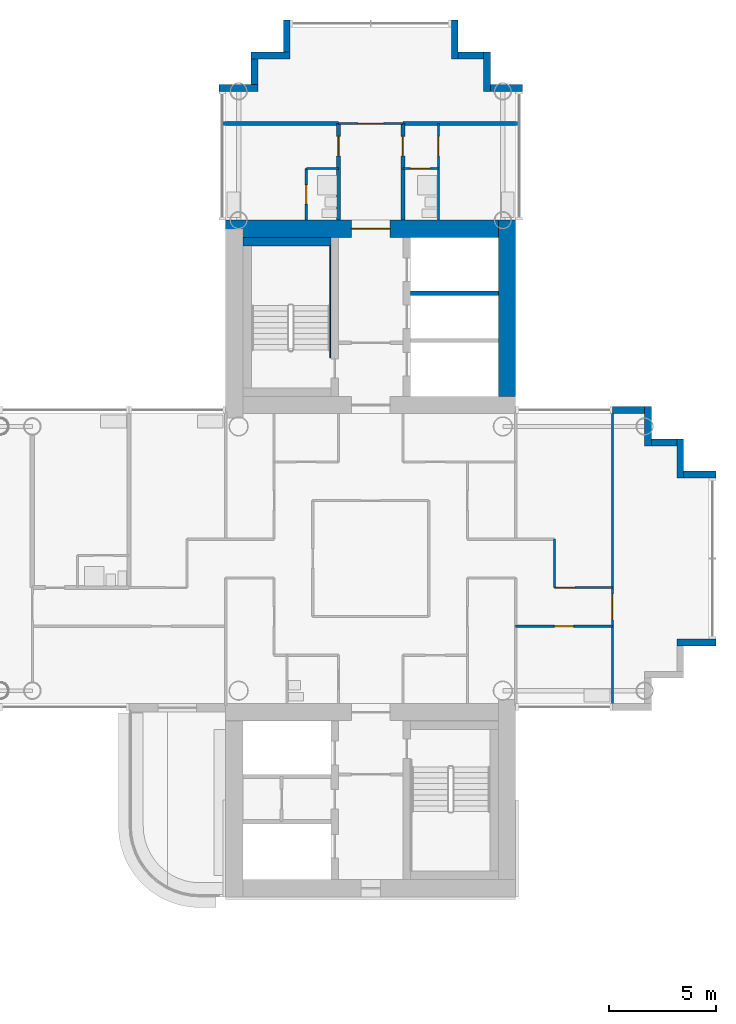
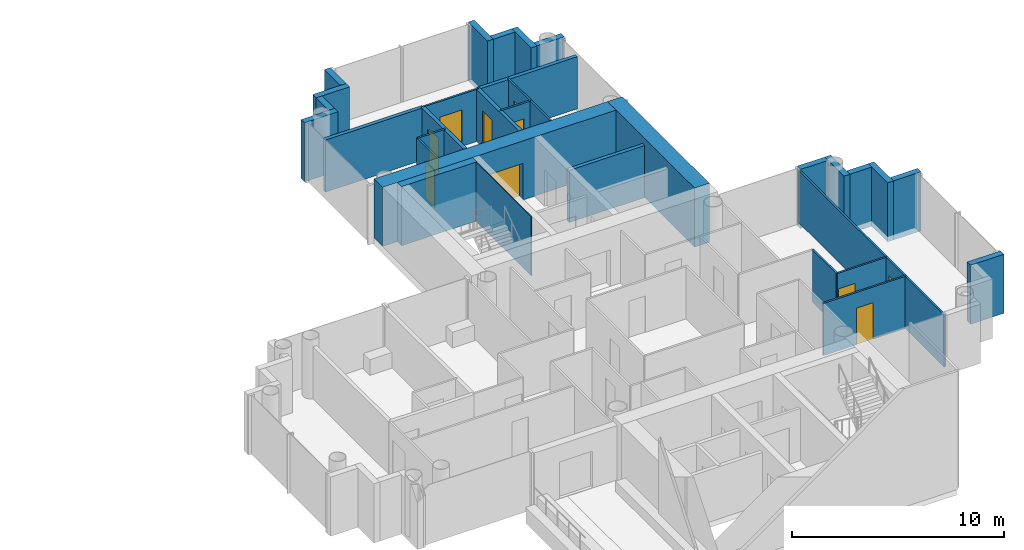
# One storey, part 12 of 19: 32 walls, 10 doors, 10 openings.
"""IFC4 building model written with IfcOpenShell, lengths in metres."""

from ifc_helpers import new_model, si_unit, direction, frame, frame_2d, origin, place, context, subcontext, project, spatial, rectangle, extrude, material, layer, layer_set, type_object, element, fill, save


model = new_model("IFC4")

# Units and contexts
model_context = context("Model", 3, precision=1e-05, world=origin(), true_north=direction((0.0, 1.0)))
body_context = subcontext(model_context, "Body", "Model", "MODEL_VIEW")
ifc_project = project(units=[si_unit("LENGTHUNIT", "METRE"), si_unit("AREAUNIT", "SQUARE_METRE"), si_unit("VOLUMEUNIT", "CUBIC_METRE"), si_unit("PLANEANGLEUNIT", "RADIAN"), si_unit("MASSUNIT", "GRAM", prefix="KILO")], contexts=[model_context])

# Site, building, storey
site_placement = place(None, origin())
site = spatial("IfcSite", under=ifc_project, at=site_placement, CompositionType="ELEMENT")
building_placement = place(site_placement, origin())
building = spatial("IfcBuilding", under=site, at=building_placement, Name="Ipe Terrace Towers", CompositionType="ELEMENT")
storey_placement = place(building_placement, frame((0.0, 0.0, 174.5)))
storey = spatial("IfcBuildingStorey", under=building, at=storey_placement, Name="L48", CompositionType="ELEMENT", Elevation=174.5)

# Walls
ifc_material_1 = material(Name="Concrete C40/50 with buff precast cladding", Category="concrete")
ifc_layer_1 = layer(ifc_material_1, 0.320068359375)
ifc_layer_set_1 = layer_set([ifc_layer_1], Name="BUFF CLADDING WALL 320")
wall_type_1 = type_object("IfcWallType", Name="BUFF CLADDING WALL 320", PredefinedType="STANDARD", material=ifc_layer_set_1)
wall_1_placement = place(storey_placement, frame((50.25, -3.909912109375, -0.300048828125), z_axis=(0.0, 0.0, 1.0), x_axis=(1.0, 0.0, 0.0)))
element("IfcWall", 1, at=wall_1_placement, inside=storey, type_object=wall_type_1, Name="T2-W-L48-07a wall", PredefinedType="STANDARD", context=body_context, shape_type="SweptSolid", body=[
    extrude(rectangle(XDim=1.820068359375, YDim=0.320068359375, at=frame_2d((0.91015625, 0.0))), origin(), (0.0, 0.0, 1.0), 3.400146484375),
])
wall_2_placement = place(storey_placement, frame((52.070068359375, 3.909912109375, -0.300048828125), z_axis=(0.0, 0.0, 1.0), x_axis=(-1.0, 0.0, 0.0)))
element("IfcWall", 2, at=wall_2_placement, inside=storey, type_object=wall_type_1, Name="T2-W-L48-09a wall", PredefinedType="STANDARD", context=body_context, shape_type="SweptSolid", body=[
    extrude(rectangle(XDim=1.5, YDim=0.320068359375, at=frame_2d((0.75, 0.0))), origin(), (0.0, 0.0, 1.0), 3.400146484375),
])
wall_3_placement = place(storey_placement, frame((50.409912109375, 3.75, -0.300048828125), z_axis=(0.0, 0.0, 1.0), x_axis=(0.0, 1.0, 0.0)))
element("IfcWall", 3, at=wall_3_placement, inside=storey, type_object=wall_type_1, Name="T2-W-L48-10a wall", PredefinedType="STANDARD", context=body_context, shape_type="SweptSolid", body=[
    extrude(rectangle(XDim=1.820068359375, YDim=0.320068359375, at=frame_2d((0.91015625, 0.0))), origin(), (0.0, 0.0, 1.0), 3.400146484375),
])
wall_4_placement = place(storey_placement, frame((50.25, 5.409912109375, -0.300048828125), z_axis=(0.0, 0.0, 1.0), x_axis=(-1.0, 0.0, 0.0)))
element("IfcWall", 4, at=wall_4_placement, inside=storey, type_object=wall_type_1, Name="T2-W-L48-11a wall", PredefinedType="STANDARD", context=body_context, shape_type="SweptSolid", body=[
    extrude(rectangle(XDim=1.179931640625, YDim=0.320068359375, at=frame_2d((0.58984375, 0.0))), origin(), (0.0, 0.0, 1.0), 3.400146484375),
])
wall_5_placement = place(storey_placement, frame((48.909912109375, 5.25, -0.300048828125), z_axis=(0.0, 0.0, 1.0), x_axis=(0.0, 1.0, 0.0)))
element("IfcWall", 5, at=wall_5_placement, inside=storey, type_object=wall_type_1, Name="T2-W-L48-12a wall", PredefinedType="STANDARD", context=body_context, shape_type="SweptSolid", body=[
    extrude(rectangle(XDim=1.820068359375, YDim=0.320068359375, at=frame_2d((0.91015625, 0.0))), origin(), (0.0, 0.0, 1.0), 3.400146484375),
])
for number, where, z_axis, x_axis, name in (
    (6, (48.75, 6.909912109375, -0.300048828125), (0.0, 0.0, 1.0), (-1.0, 0.0, 0.0), "T2-W-L48-13a wall"),
    (7, (43.070068359375, 21.909912109375, -0.300048828125), (0.0, 0.0, 1.0), (-1.0, 0.0, 0.0), "T2-W-L48-17a wall"),
):
    element("IfcWall", number, at=place(storey_placement, frame(where, z_axis=z_axis, x_axis=x_axis)), inside=storey, type_object=wall_type_1, Name=name, PredefinedType="STANDARD", context=body_context, shape_type="SweptSolid", body=[
        extrude(rectangle(XDim=1.5, YDim=0.320068359375, at=frame_2d((0.75, 0.0))), origin(), (0.0, 0.0, 1.0), 3.400146484375),
    ])
wall_6_placement = place(storey_placement, frame((41.409912109375, 21.75, -0.300048828125), z_axis=(0.0, 0.0, 1.0), x_axis=(0.0, 1.0, 0.0)))
element("IfcWall", 8, at=wall_6_placement, inside=storey, type_object=wall_type_1, Name="T2-W-L48-18a wall", PredefinedType="STANDARD", context=body_context, shape_type="SweptSolid", body=[
    extrude(rectangle(XDim=1.820068359375, YDim=0.320068359375, at=frame_2d((0.91015625, 0.0))), origin(), (0.0, 0.0, 1.0), 3.400146484375),
])
wall_7_placement = place(storey_placement, frame((41.25, 23.409912109375, -0.300048828125), z_axis=(0.0, 0.0, 1.0), x_axis=(-1.0, 0.0, 0.0)))
element("IfcWall", 9, at=wall_7_placement, inside=storey, type_object=wall_type_1, Name="T2-W-L48-19a wall", PredefinedType="STANDARD", context=body_context, shape_type="SweptSolid", body=[
    extrude(rectangle(XDim=1.179931640625, YDim=0.320068359375, at=frame_2d((0.58984375, 0.0))), origin(), (0.0, 0.0, 1.0), 3.400146484375),
])
wall_8_placement = place(storey_placement, frame((39.909912109375, 23.25, -0.300048828125), z_axis=(0.0, 0.0, 1.0), x_axis=(0.0, 1.0, 0.0)))
element("IfcWall", 10, at=wall_8_placement, inside=storey, type_object=wall_type_1, Name="T2-W-L48-20a wall", PredefinedType="STANDARD", context=body_context, shape_type="SweptSolid", body=[
    extrude(rectangle(XDim=1.820068359375, YDim=0.320068359375, at=frame_2d((0.91015625, 0.0))), origin(), (0.0, 0.0, 1.0), 3.400146484375),
])
wall_9_placement = place(storey_placement, frame((32.090087890625, 25.070068359375, -0.300048828125), z_axis=(0.0, 0.0, 1.0), x_axis=(0.0, -1.0, 0.0)))
element("IfcWall", 11, at=wall_9_placement, inside=storey, type_object=wall_type_1, Name="T2-W-L48-22a wall", PredefinedType="STANDARD", context=body_context, shape_type="SweptSolid", body=[
    extrude(rectangle(XDim=1.5, YDim=0.320068359375, at=frame_2d((0.75, 0.0))), origin(), (0.0, 0.0, 1.0), 3.400146484375),
])
wall_10_placement = place(storey_placement, frame((32.25, 23.409912109375, -0.300048828125), z_axis=(0.0, 0.0, 1.0), x_axis=(-1.0, 0.0, 0.0)))
element("IfcWall", 12, at=wall_10_placement, inside=storey, type_object=wall_type_1, Name="T2-W-L48-23a wall", PredefinedType="STANDARD", context=body_context, shape_type="SweptSolid", body=[
    extrude(rectangle(XDim=1.820068359375, YDim=0.320068359375, at=frame_2d((0.91015625, 0.0))), origin(), (0.0, 0.0, 1.0), 3.400146484375),
])
wall_11_placement = place(storey_placement, frame((30.590087890625, 23.25, -0.300048828125), z_axis=(0.0, 0.0, 1.0), x_axis=(0.0, -1.0, 0.0)))
element("IfcWall", 13, at=wall_11_placement, inside=storey, type_object=wall_type_1, Name="T2-W-L48-24a wall", PredefinedType="STANDARD", context=body_context, shape_type="SweptSolid", body=[
    extrude(rectangle(XDim=1.179931640625, YDim=0.320068359375, at=frame_2d((0.58984375, 0.0))), origin(), (0.0, 0.0, 1.0), 3.400146484375),
])
wall_12_placement = place(storey_placement, frame((30.75, 21.909912109375, -0.300048828125), z_axis=(0.0, 0.0, 1.0), x_axis=(-1.0, 0.0, 0.0)))
element("IfcWall", 14, at=wall_12_placement, inside=storey, type_object=wall_type_1, Name="T2-W-L48-25a wall", PredefinedType="STANDARD", context=body_context, shape_type="SweptSolid", body=[
    extrude(rectangle(XDim=1.820068359375, YDim=0.320068359375, at=frame_2d((0.91015625, 0.0))), origin(), (0.0, 0.0, 1.0), 3.400146484375),
])

# Wall, opening, door
ifc_material_2 = material(Name="Gypsum board partition", Category="plasterboard")
ifc_layer_2 = layer(ifc_material_2, 0.10009765625)
ifc_layer_set_2 = layer_set([ifc_layer_2], Name="Gypsum board partition 100 mm")
wall_type_2 = type_object("IfcWallType", Name="Gypsum board partition 100 mm", PredefinedType="PARTITIONING", material=ifc_layer_set_2)
wall_13_placement = place(storey_placement, frame((47.25, -3.14990234375, 0.0), z_axis=(0.0, 0.0, 1.0), x_axis=(-1.0, 0.0, 0.0)))
wall_13 = element("IfcWall", 15, at=wall_13_placement, inside=storey, type_object=wall_type_2, Name="Gypsum board partition T2 L48 W03", PredefinedType="PARTITIONING", context=body_context, shape_type="SweptSolid", body=[
    extrude(rectangle(XDim=4.5, YDim=0.10009765625, at=frame_2d((2.25, 0.0))), origin(), (0.0, 0.0, 1.0), 3.0),
])
opening_1_placement = place(wall_13_placement, frame((1.800048828125, 0.0, 0.0)))
opening_1 = element("IfcOpeningElement", 16, at=opening_1_placement, cuts=wall_13, Name="Opening T2-Z3D-17", PredefinedType="OPENING", context=body_context, shape_type="SweptSolid", body=[
    extrude(rectangle(XDim=0.89990234375, YDim=2.10009765625, at=frame_2d((0.449951171875, 1.050048828125))), frame((0.0, 0.06005859375, 0.0), z_axis=(0.0, -1.0, 0.0), x_axis=(1.0, 0.0, 0.0)), (0.0, 0.0, 1.0), 0.1201171875),
])
ifc_material_3 = material(Name="Timber door leaf", Category="wood")
door_type_1 = type_object("IfcDoorType", Name="Lounge door 900 x 2100", OperationType="NOTDEFINED", PredefinedType="DOOR", material=ifc_material_3)
door_1_placement = place(opening_1_placement, origin())
door_1 = element("IfcDoor", 17, at=door_1_placement, inside=storey, type_object=door_type_1, Name="Lounge door T2-Z3D-17", OperationType="SINGLE_SWING_LEFT", OverallHeight=2.10009765625, OverallWidth=0.89990234375, PredefinedType="DOOR", context=body_context, shape_type="SweptSolid", body=[
    extrude(rectangle(XDim=0.89990234375, YDim=2.10009765625, at=frame_2d((0.449951171875, 1.050048828125))), frame((0.0, 0.02490234375, 0.0), z_axis=(0.0, -1.0, 0.0), x_axis=(1.0, 0.0, 0.0)), (0.0, 0.0, 1.0), 0.050048828125),
])
fill(opening_1, door_1)

wall_14_placement = place(storey_placement, frame((47.25, -1.35009765625, 0.0), z_axis=(0.0, 0.0, 1.0), x_axis=(-1.0, 0.0, 0.0)))
wall_14 = element("IfcWall", 18, at=wall_14_placement, inside=storey, type_object=wall_type_2, Name="Gypsum board partition T2 L48 W06", PredefinedType="PARTITIONING", context=body_context, shape_type="SweptSolid", body=[
    extrude(rectangle(XDim=2.699951171875, YDim=0.10009765625, at=frame_2d((1.35009765625, 0.0))), origin(), (0.0, 0.0, 1.0), 3.0),
])
opening_2_placement = place(wall_14_placement, frame((1.72998046875, 0.0, 0.0)))
opening_2 = element("IfcOpeningElement", 19, at=opening_2_placement, cuts=wall_14, Name="Opening T2-Z3D-16", PredefinedType="OPENING", context=body_context, shape_type="SweptSolid", body=[
    extrude(rectangle(XDim=0.89990234375, YDim=2.10009765625, at=frame_2d((0.449951171875, 1.050048828125))), frame((0.0, 0.06005859375, 0.0), z_axis=(0.0, -1.0, 0.0), x_axis=(1.0, 0.0, 0.0)), (0.0, 0.0, 1.0), 0.1201171875),
])
door_2_placement = place(opening_2_placement, origin())
door_2 = element("IfcDoor", 20, at=door_2_placement, inside=storey, type_object=door_type_1, Name="Lounge door T2-Z3D-16", OperationType="SINGLE_SWING_RIGHT", OverallHeight=2.10009765625, OverallWidth=0.89990234375, PredefinedType="DOOR", context=body_context, shape_type="SweptSolid", body=[
    extrude(rectangle(XDim=0.89990234375, YDim=2.10009765625, at=frame_2d((0.449951171875, 1.050048828125))), frame((0.0, 0.02490234375, 0.0), z_axis=(0.0, -1.0, 0.0), x_axis=(1.0, 0.0, 0.0)), (0.0, 0.0, 1.0), 0.050048828125),
])
fill(opening_2, door_2)

wall_15_placement = place(storey_placement, frame((39.14990234375, 18.14990234375, 0.0), z_axis=(0.0, 0.0, 1.0), x_axis=(-1.0, 0.0, 0.0)))
wall_15 = element("IfcWall", 21, at=wall_15_placement, inside=storey, type_object=wall_type_2, Name="Gypsum board partition T2 L48 W17", PredefinedType="PARTITIONING", context=body_context, shape_type="SweptSolid", body=[
    extrude(rectangle(XDim=1.64990234375, YDim=0.10009765625, at=frame_2d((0.824951171875, 0.0))), origin(), (0.0, 0.0, 1.0), 3.0),
])
opening_3_placement = place(wall_15_placement, frame((0.39990234375, 0.0, 0.0)))
opening_3 = element("IfcOpeningElement", 22, at=opening_3_placement, cuts=wall_15, Name="Opening T2-Z3D-23", PredefinedType="OPENING", context=body_context, shape_type="SweptSolid", body=[
    extrude(rectangle(XDim=0.89990234375, YDim=2.10009765625, at=frame_2d((0.449951171875, 1.050048828125))), frame((0.0, 0.06005859375, 0.0), z_axis=(0.0, -1.0, 0.0), x_axis=(1.0, 0.0, 0.0)), (0.0, 0.0, 1.0), 0.1201171875),
])
ifc_material_4 = material(Name="Timber door leaf", Category="wood")
door_type_2 = type_object("IfcDoorType", Name="Bathroom door 900 x 2100", OperationType="NOTDEFINED", PredefinedType="DOOR", material=ifc_material_4)
door_3_placement = place(opening_3_placement, origin())
door_3 = element("IfcDoor", 23, at=door_3_placement, inside=storey, type_object=door_type_2, Name="Bathroom door T2-Z3D-23", OperationType="SINGLE_SWING_LEFT", OverallHeight=2.10009765625, OverallWidth=0.89990234375, PredefinedType="DOOR", context=body_context, shape_type="SweptSolid", body=[
    extrude(rectangle(XDim=0.89990234375, YDim=2.10009765625, at=frame_2d((0.449951171875, 1.050048828125))), frame((0.0, 0.02490234375, 0.0), z_axis=(0.0, -1.0, 0.0), x_axis=(1.0, 0.0, 0.0)), (0.0, 0.0, 1.0), 0.050048828125),
])
fill(opening_3, door_3)

# Wall
wall_16_placement = place(storey_placement, frame((34.5, 18.14990234375, 0.0), z_axis=(0.0, 0.0, 1.0), x_axis=(-1.0, 0.0, 0.0)))
element("IfcWall", 24, at=wall_16_placement, inside=storey, type_object=wall_type_2, Name="Gypsum board partition T2 L48 W18", PredefinedType="PARTITIONING", context=body_context, shape_type="SweptSolid", body=[
    extrude(rectangle(XDim=1.5, YDim=0.10009765625, at=frame_2d((0.75, 0.0))), origin(), (0.0, 0.0, 1.0), 3.0),
])

# Wall, opening, door
wall_17_placement = place(storey_placement, frame((37.5, 20.25, 0.0), z_axis=(0.0, 0.0, 1.0), x_axis=(-1.0, 0.0, 0.0)))
wall_17 = element("IfcWall", 25, at=wall_17_placement, inside=storey, type_object=wall_type_2, Name="Gypsum board partition T2 L48 W19", PredefinedType="PARTITIONING", context=body_context, shape_type="SweptSolid", body=[
    extrude(rectangle(XDim=3.0, YDim=0.10009765625, at=frame_2d((1.5, 0.0))), origin(), (0.0, 0.0, 1.0), 3.0),
])
opening_4_placement = place(wall_17_placement, frame((0.89990234375, 0.0, 0.0)))
opening_4 = element("IfcOpeningElement", 26, at=opening_4_placement, cuts=wall_17, Name="Opening T2-Z3D-24", PredefinedType="OPENING", context=body_context, shape_type="SweptSolid", body=[
    extrude(rectangle(XDim=1.199951171875, YDim=2.10009765625, at=frame_2d((0.60009765625, 1.050048828125))), frame((0.0, 0.06005859375, 0.0), z_axis=(0.0, -1.0, 0.0), x_axis=(1.0, 0.0, 0.0)), (0.0, 0.0, 1.0), 0.1201171875),
])
ifc_material_5 = material(Name="Timber door leaf", Category="wood")
door_type_3 = type_object("IfcDoorType", Name="Lounge door 1200 x 2100", OperationType="NOTDEFINED", PredefinedType="DOOR", material=ifc_material_5)
door_4_placement = place(opening_4_placement, origin())
door_4 = element("IfcDoor", 27, at=door_4_placement, inside=storey, type_object=door_type_3, Name="Lounge door T2-Z3D-24", OperationType="SINGLE_SWING_RIGHT", OverallHeight=2.10009765625, OverallWidth=1.199951171875, PredefinedType="DOOR", context=body_context, shape_type="SweptSolid", body=[
    extrude(rectangle(XDim=1.199951171875, YDim=2.10009765625, at=frame_2d((0.60009765625, 1.050048828125))), frame((0.0, 0.02490234375, 0.0), z_axis=(0.0, -1.0, 0.0), x_axis=(1.0, 0.0, 0.0)), (0.0, 0.0, 1.0), 0.050048828125),
])
fill(opening_4, door_4)

wall_18_placement = place(storey_placement, frame((47.25, -6.85009765625, 0.0), z_axis=(0.0, 0.0, 1.0), x_axis=(0.0, 1.0, 0.0)))
wall_18 = element("IfcWall", 28, at=wall_18_placement, inside=storey, type_object=wall_type_2, Name="Gypsum board partition T2 L48 W22", PredefinedType="PARTITIONING", context=body_context, shape_type="SweptSolid", body=[
    extrude(rectangle(XDim=13.7001953125, YDim=0.10009765625, at=frame_2d((6.85009765625, 0.0))), origin(), (0.0, 0.0, 1.0), 3.0),
])
opening_5_placement = place(wall_18_placement, frame((4.0, 0.0, 0.0)))
opening_5 = element("IfcOpeningElement", 29, at=opening_5_placement, cuts=wall_18, Name="Opening T2-Z3D-18", PredefinedType="OPENING", context=body_context, shape_type="SweptSolid", body=[
    extrude(rectangle(XDim=1.199951171875, YDim=2.10009765625, at=frame_2d((0.60009765625, 1.050048828125))), frame((0.0, 0.06005859375, 0.0), z_axis=(0.0, -1.0, 0.0), x_axis=(1.0, 0.0, 0.0)), (0.0, 0.0, 1.0), 0.1201171875),
])
door_5_placement = place(opening_5_placement, origin())
door_5 = element("IfcDoor", 30, at=door_5_placement, inside=storey, type_object=door_type_3, Name="Lounge door T2-Z3D-18", OperationType="SINGLE_SWING_LEFT", OverallHeight=2.10009765625, OverallWidth=1.199951171875, PredefinedType="DOOR", context=body_context, shape_type="SweptSolid", body=[
    extrude(rectangle(XDim=1.199951171875, YDim=2.10009765625, at=frame_2d((0.60009765625, 1.050048828125))), frame((0.0, 0.02490234375, 0.0), z_axis=(0.0, -1.0, 0.0), x_axis=(1.0, 0.0, 0.0)), (0.0, 0.0, 1.0), 0.050048828125),
])
fill(opening_5, door_5)

# Wall
wall_19_placement = place(storey_placement, frame((44.550048828125, -1.35009765625, 0.0), z_axis=(0.0, 0.0, 1.0), x_axis=(0.0, 1.0, 0.0)))
element("IfcWall", 31, at=wall_19_placement, inside=storey, type_object=wall_type_2, Name="Gypsum board partition T2 L48 W23", PredefinedType="PARTITIONING", context=body_context, shape_type="SweptSolid", body=[
    extrude(rectangle(XDim=2.25, YDim=0.10009765625, at=frame_2d((1.125, 0.0))), origin(), (0.0, 0.0, 1.0), 3.0),
])

# Wall, opening, door
wall_20_placement = place(storey_placement, frame((39.14990234375, 15.75, 0.0), z_axis=(0.0, 0.0, 1.0), x_axis=(0.0, 1.0, 0.0)))
wall_20 = element("IfcWall", 32, at=wall_20_placement, inside=storey, type_object=wall_type_2, Name="Gypsum board partition T2 L48 W28", PredefinedType="PARTITIONING", context=body_context, shape_type="SweptSolid", body=[
    extrude(rectangle(XDim=4.5, YDim=0.10009765625, at=frame_2d((2.25, 0.0))), origin(), (0.0, 0.0, 1.0), 3.0),
])
opening_6_placement = place(wall_20_placement, frame((3.0, 0.0, 0.0)))
opening_6 = element("IfcOpeningElement", 33, at=opening_6_placement, cuts=wall_20, Name="Opening T2-Z3D-22", PredefinedType="OPENING", context=body_context, shape_type="SweptSolid", body=[
    extrude(rectangle(XDim=0.89990234375, YDim=2.10009765625, at=frame_2d((0.449951171875, 1.050048828125))), frame((0.0, 0.06005859375, 0.0), z_axis=(0.0, -1.0, 0.0), x_axis=(1.0, 0.0, 0.0)), (0.0, 0.0, 1.0), 0.1201171875),
])
ifc_material_6 = material(Name="Timber door leaf", Category="wood")
door_type_4 = type_object("IfcDoorType", Name="Bedroom door 900 x 2100", OperationType="NOTDEFINED", PredefinedType="DOOR", material=ifc_material_6)
door_6_placement = place(opening_6_placement, origin())
door_6 = element("IfcDoor", 34, at=door_6_placement, inside=storey, type_object=door_type_4, Name="Bedroom door T2-Z3D-22", OperationType="SINGLE_SWING_RIGHT", OverallHeight=2.10009765625, OverallWidth=0.89990234375, PredefinedType="DOOR", context=body_context, shape_type="SweptSolid", body=[
    extrude(rectangle(XDim=0.89990234375, YDim=2.10009765625, at=frame_2d((0.449951171875, 1.050048828125))), frame((0.0, 0.02490234375, 0.0), z_axis=(0.0, -1.0, 0.0), x_axis=(1.0, 0.0, 0.0)), (0.0, 0.0, 1.0), 0.050048828125),
])
fill(opening_6, door_6)

wall_21_placement = place(storey_placement, frame((33.0, 15.75, 0.0), z_axis=(0.0, 0.0, 1.0), x_axis=(0.0, 1.0, 0.0)))
wall_21 = element("IfcWall", 35, at=wall_21_placement, inside=storey, type_object=wall_type_2, Name="Gypsum board partition T2 L48 W37", PredefinedType="PARTITIONING", context=body_context, shape_type="SweptSolid", body=[
    extrude(rectangle(XDim=2.39990234375, YDim=0.10009765625, at=frame_2d((1.199951171875, 0.0))), origin(), (0.0, 0.0, 1.0), 3.0),
])
opening_7_placement = place(wall_21_placement, frame((0.75, 0.0, 0.0)))
opening_7 = element("IfcOpeningElement", 36, at=opening_7_placement, cuts=wall_21, Name="Opening T2-Z3D-20", PredefinedType="OPENING", context=body_context, shape_type="SweptSolid", body=[
    extrude(rectangle(XDim=0.89990234375, YDim=2.10009765625, at=frame_2d((0.449951171875, 1.050048828125))), frame((0.0, 0.06005859375, 0.0), z_axis=(0.0, -1.0, 0.0), x_axis=(1.0, 0.0, 0.0)), (0.0, 0.0, 1.0), 0.1201171875),
])
door_7_placement = place(opening_7_placement, origin())
door_7 = element("IfcDoor", 37, at=door_7_placement, inside=storey, type_object=door_type_2, Name="Bathroom door T2-Z3D-20", OperationType="SINGLE_SWING_RIGHT", OverallHeight=2.10009765625, OverallWidth=0.89990234375, PredefinedType="DOOR", context=body_context, shape_type="SweptSolid", body=[
    extrude(rectangle(XDim=0.89990234375, YDim=2.10009765625, at=frame_2d((0.449951171875, 1.050048828125))), frame((0.0, 0.02490234375, 0.0), z_axis=(0.0, -1.0, 0.0), x_axis=(1.0, 0.0, 0.0)), (0.0, 0.0, 1.0), 0.050048828125),
])
fill(opening_7, door_7)

# Walls
ifc_material_7 = material(Name="Gypsum board party wall", Category="plasterboard")
ifc_layer_3 = layer(ifc_material_7, 0.199951171875)
ifc_layer_set_3 = layer_set([ifc_layer_3], Name="Gypsum board party wall 200 mm")
wall_type_3 = type_object("IfcWallType", Name="Gypsum board party wall 200 mm", PredefinedType="SOLIDWALL", material=ifc_layer_set_3)
wall_22_placement = place(storey_placement, frame((41.949951171875, 12.35009765625, 0.0), z_axis=(0.0, 0.0, 1.0), x_axis=(-1.0, 0.0, 0.0)))
element("IfcWall", 38, at=wall_22_placement, inside=storey, type_object=wall_type_3, Name="Gypsum board party wall T2 L48 t2c1-shaft-div2", PredefinedType="SOLIDWALL", context=body_context, shape_type="SweptSolid", body=[
    extrude(rectangle(XDim=4.099853515625, YDim=0.199951171875, at=frame_2d((2.0498046875, 0.0))), origin(), (0.0, 0.0, 1.0), 3.0),
])
for number, where, z_axis, x_axis, name in (
    (39, (42.85009765625, 20.25, 0.0), (0.0, 0.0, 1.0), (-1.0, 0.0, 0.0), "Gypsum board party wall T2 L48 W20"),
    (40, (34.5, 20.25, 0.0), (0.0, 0.0, 1.0), (-1.0, 0.0, 0.0), "Gypsum board party wall T2 L48 W21"),
):
    element("IfcWall", number, at=place(storey_placement, frame(where, z_axis=z_axis, x_axis=x_axis)), inside=storey, type_object=wall_type_3, Name=name, PredefinedType="SOLIDWALL", context=body_context, shape_type="SweptSolid", body=[
        extrude(rectangle(XDim=5.35009765625, YDim=0.199951171875, at=frame_2d((2.675048828125, 0.0))), origin(), (0.0, 0.0, 1.0), 3.0),
    ])

# Wall, opening, door
wall_23_placement = place(storey_placement, frame((37.5, 15.75, 0.0), z_axis=(0.0, 0.0, 1.0), x_axis=(0.0, 1.0, 0.0)))
wall_23 = element("IfcWall", 41, at=wall_23_placement, inside=storey, type_object=wall_type_3, Name="Gypsum board party wall T2 L48 W32", PredefinedType="SOLIDWALL", context=body_context, shape_type="SweptSolid", body=[
    extrude(rectangle(XDim=4.5, YDim=0.199951171875, at=frame_2d((2.25, 0.0))), origin(), (0.0, 0.0, 1.0), 3.0),
])
opening_8_placement = place(wall_23_placement, frame((3.0, 0.0, 0.0)))
opening_8 = element("IfcOpeningElement", 42, at=opening_8_placement, cuts=wall_23, Name="Opening T2-Z3D-21", PredefinedType="OPENING", context=body_context, shape_type="SweptSolid", body=[
    extrude(rectangle(XDim=0.89990234375, YDim=2.10009765625, at=frame_2d((0.449951171875, 1.050048828125))), frame((0.0, 0.10986328125, 0.0), z_axis=(0.0, -1.0, 0.0), x_axis=(1.0, 0.0, 0.0)), (0.0, 0.0, 1.0), 0.219970703125),
])
ifc_material_8 = material(Name="Fire-rated timber door leaf", Category="wood")
door_type_5 = type_object("IfcDoorType", Name="Flat entrance door 900 x 2100 FD30S", OperationType="NOTDEFINED", PredefinedType="DOOR", material=ifc_material_8)
door_8_placement = place(opening_8_placement, origin())
door_8 = element("IfcDoor", 43, at=door_8_placement, inside=storey, type_object=door_type_5, Name="Flat entrance door T2-Z3D-21", OperationType="SINGLE_SWING_RIGHT", OverallHeight=2.10009765625, OverallWidth=0.89990234375, PredefinedType="DOOR", context=body_context, shape_type="SweptSolid", body=[
    extrude(rectangle(XDim=0.89990234375, YDim=2.10009765625, at=frame_2d((0.449951171875, 1.050048828125))), frame((0.0, 0.02490234375, 0.0), z_axis=(0.0, -1.0, 0.0), x_axis=(1.0, 0.0, 0.0)), (0.0, 0.0, 1.0), 0.050048828125),
])
fill(opening_8, door_8)

wall_24_placement = place(storey_placement, frame((34.5, 15.75, 0.0), z_axis=(0.0, 0.0, 1.0), x_axis=(0.0, 1.0, 0.0)))
wall_24 = element("IfcWall", 44, at=wall_24_placement, inside=storey, type_object=wall_type_3, Name="Gypsum board party wall T2 L48 W35", PredefinedType="SOLIDWALL", context=body_context, shape_type="SweptSolid", body=[
    extrude(rectangle(XDim=4.5, YDim=0.199951171875, at=frame_2d((2.25, 0.0))), origin(), (0.0, 0.0, 1.0), 3.0),
])
opening_9_placement = place(wall_24_placement, frame((3.0, 0.0, 0.0)))
opening_9 = element("IfcOpeningElement", 45, at=opening_9_placement, cuts=wall_24, Name="Opening T2-Z3D-19", PredefinedType="OPENING", context=body_context, shape_type="SweptSolid", body=[
    extrude(rectangle(XDim=0.89990234375, YDim=2.10009765625, at=frame_2d((0.449951171875, 1.050048828125))), frame((0.0, 0.10986328125, 0.0), z_axis=(0.0, -1.0, 0.0), x_axis=(1.0, 0.0, 0.0)), (0.0, 0.0, 1.0), 0.219970703125),
])
door_9_placement = place(opening_9_placement, origin())
door_9 = element("IfcDoor", 46, at=door_9_placement, inside=storey, type_object=door_type_5, Name="Flat entrance door T2-Z3D-19", OperationType="SINGLE_SWING_LEFT", OverallHeight=2.10009765625, OverallWidth=0.89990234375, PredefinedType="DOOR", context=body_context, shape_type="SweptSolid", body=[
    extrude(rectangle(XDim=0.89990234375, YDim=2.10009765625, at=frame_2d((0.449951171875, 1.050048828125))), frame((0.0, 0.02490234375, 0.0), z_axis=(0.0, -1.0, 0.0), x_axis=(1.0, 0.0, 0.0)), (0.0, 0.0, 1.0), 0.050048828125),
])
fill(opening_9, door_9)

# Walls
ifc_material_9 = material(Name="Concrete C50/60", Category="concrete")
ifc_layer_4 = layer(ifc_material_9, 0.39990234375)
ifc_layer_set_4 = layer_set([ifc_layer_4], Name="RW400 CORE INFILL WALL 400 C50-60")
wall_type_4 = type_object("IfcWallType", Name="RW400 CORE INFILL WALL 400 C50-60", PredefinedType="SHEAR", material=ifc_layer_set_4)
wall_25_placement = place(storey_placement, frame((34.14990234375, 14.75, 0.0), z_axis=(0.0, 0.0, 1.0), x_axis=(-1.0, 0.0, 0.0)))
element("IfcWall", 47, at=wall_25_placement, inside=storey, type_object=wall_type_4, Name="Core infill wall T2-C1-far", PredefinedType="SHEAR", context=body_context, shape_type="SweptSolid", body=[
    extrude(rectangle(XDim=4.099853515625, YDim=0.39990234375, at=frame_2d((2.0498046875, 0.0))), origin(), (0.0, 0.0, 1.0), 3.39990234375),
])
ifc_material_10 = material(Name="Concrete C50/60", Category="concrete")
ifc_layer_5 = layer(ifc_material_10, 0.050048828125)
ifc_layer_set_5 = layer_set([ifc_layer_5], Name="RW50 CORE INFILL WALL 50 C50-60")
wall_type_5 = type_object("IfcWallType", Name="RW50 CORE INFILL WALL 50 C50-60", PredefinedType="SHEAR", material=ifc_layer_set_5)
wall_26_placement = place(storey_placement, frame((34.125, 9.35009765625, 0.0), z_axis=(0.0, 0.0, 1.0), x_axis=(0.0, 1.0, 0.0)))
element("IfcWall", 48, at=wall_26_placement, inside=storey, type_object=wall_type_5, Name="Core infill wall T2-C1-spine-b", PredefinedType="SHEAR", context=body_context, shape_type="SweptSolid", body=[
    extrude(rectangle(XDim=5.199951171875, YDim=0.050048828125, at=frame_2d((2.60009765625, 0.0))), origin(), (0.0, 0.0, 1.0), 3.39990234375),
])
ifc_material_11 = material(Name="Concrete C50/60", Category="concrete")
ifc_layer_6 = layer(ifc_material_11, 0.800048828125)
ifc_layer_set_6 = layer_set([ifc_layer_6], Name="RW800 CORE WALL 800 C50-60")
wall_type_6 = type_object("IfcWallType", Name="RW800 CORE WALL 800 C50-60", PredefinedType="SHEAR", material=ifc_layer_set_6)
wall_27_placement = place(storey_placement, frame((42.35009765625, 7.550048828125, 0.0), z_axis=(0.0, 0.0, 1.0), x_axis=(0.0, 1.0, 0.0)))
element("IfcWall", 49, at=wall_27_placement, inside=storey, type_object=wall_type_6, Name="Core wall T2-C1-Z3-W02", PredefinedType="SHEAR", context=body_context, shape_type="SweptSolid", body=[
    extrude(rectangle(XDim=8.199951171875, YDim=0.800048828125, at=frame_2d((4.10009765625, 0.0))), origin(), (0.0, 0.0, 1.0), 3.39990234375),
])

# Wall, opening, door
wall_28_placement = place(storey_placement, frame((41.949951171875, 15.35009765625, 0.0), z_axis=(0.0, 0.0, 1.0), x_axis=(-1.0, 0.0, 0.0)))
wall_28 = element("IfcWall", 50, at=wall_28_placement, inside=storey, type_object=wall_type_6, Name="Core wall T2-C1-Z3-W03", PredefinedType="SHEAR", context=body_context, shape_type="SweptSolid", body=[
    extrude(rectangle(XDim=12.699951171875, YDim=0.800048828125, at=frame_2d((6.35009765625, 0.0))), origin(), (0.0, 0.0, 1.0), 3.39990234375),
])
opening_10_placement = place(wall_28_placement, frame((5.050048828125, 0.0, 0.0)))
opening_10 = element("IfcOpeningElement", 51, at=opening_10_placement, cuts=wall_28, Name="Opening T2C1-FD", PredefinedType="OPENING", context=body_context, shape_type="SweptSolid", body=[
    extrude(rectangle(XDim=1.800048828125, YDim=2.10009765625, at=frame_2d((0.89990234375, 1.050048828125))), frame((0.0, 0.41015625, 0.0), z_axis=(0.0, -1.0, 0.0), x_axis=(1.0, 0.0, 0.0)), (0.0, 0.0, 1.0), 0.820068359375),
])
ifc_material_12 = material(Name="Fire-rated timber door leaf", Category="wood")
door_type_6 = type_object("IfcDoorType", Name="Fire door 1800 x 2100 FD30S", OperationType="NOTDEFINED", PredefinedType="DOOR", material=ifc_material_12)
door_10_placement = place(opening_10_placement, origin())
door_10 = element("IfcDoor", 52, at=door_10_placement, inside=storey, type_object=door_type_6, Name="Fire door T2C1-FD", OperationType="SINGLE_SWING_LEFT", OverallHeight=2.10009765625, OverallWidth=1.800048828125, PredefinedType="DOOR", context=body_context, shape_type="SweptSolid", body=[
    extrude(rectangle(XDim=1.800048828125, YDim=2.10009765625, at=frame_2d((0.89990234375, 1.050048828125))), frame((0.0, 0.02490234375, 0.0), z_axis=(0.0, -1.0, 0.0), x_axis=(1.0, 0.0, 0.0)), (0.0, 0.0, 1.0), 0.050048828125),
])
fill(opening_10, door_10)

save(model, "model.ifc")
